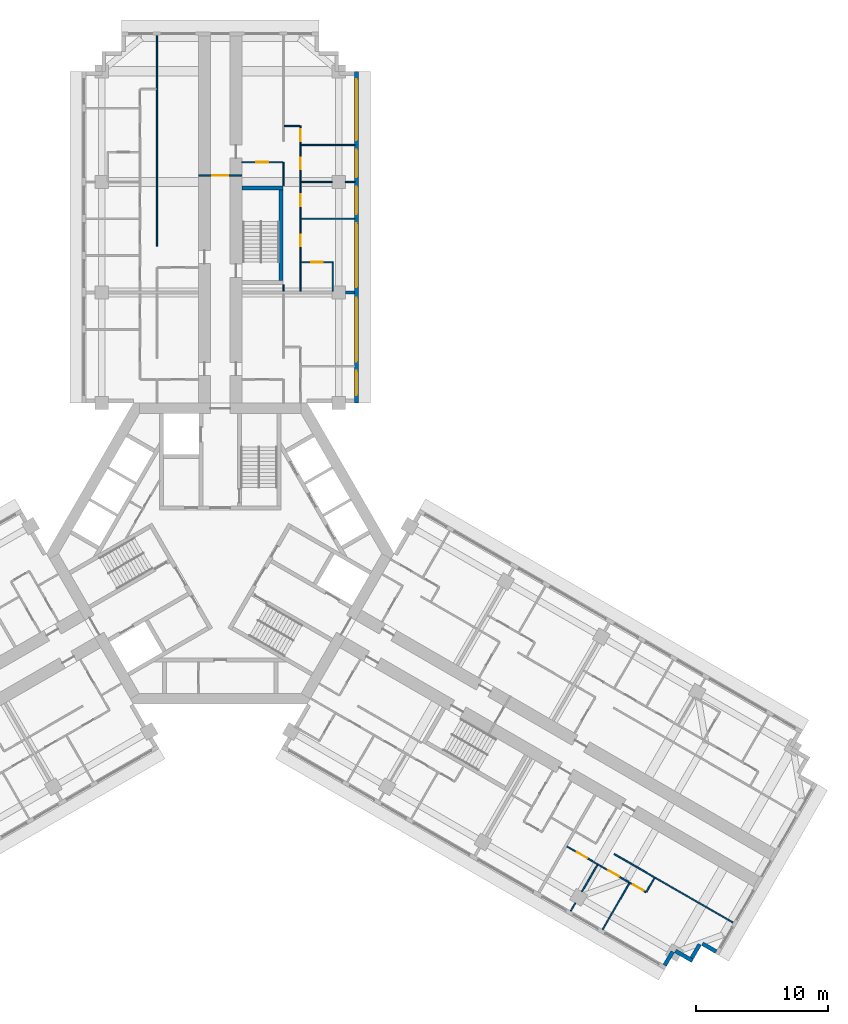
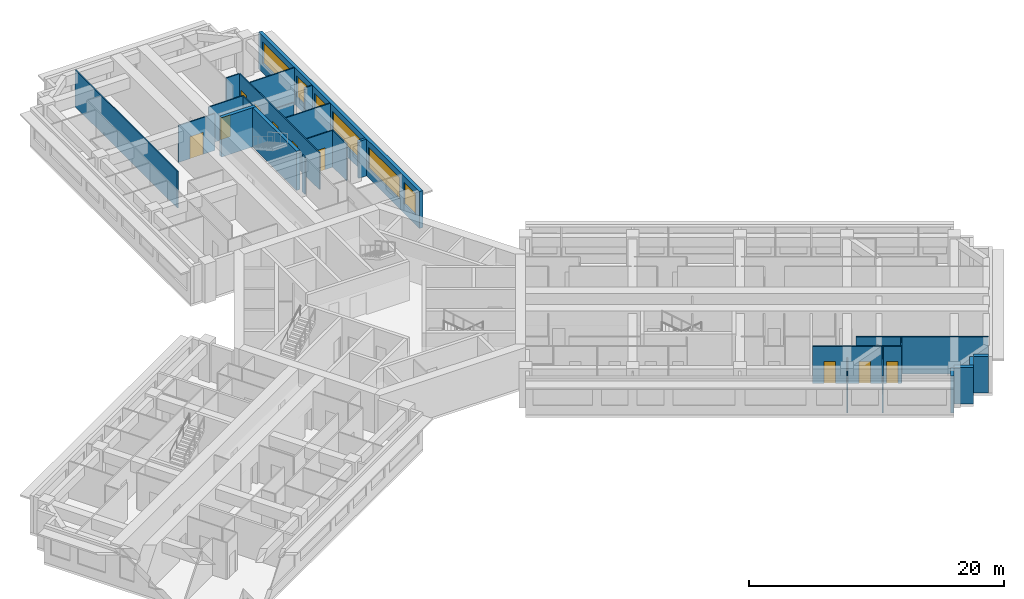
# One storey, part 10 of 14: 27 walls, 10 doors, 6 windows, 16 openings.
"""IFC4 building model written with IfcOpenShell, lengths in metres."""

from ifc_helpers import new_model, si_unit, direction, frame, frame_2d, origin, place, context, subcontext, project, spatial, rectangle, extrude, material, layer, layer_set, type_object, element, fill, save


model = new_model("IFC4")

# Units and contexts
model_context = context("Model", 3, precision=1e-05, world=origin(), true_north=direction((0.0, 1.0)))
body_context = subcontext(model_context, "Body", "Model", "MODEL_VIEW")
ifc_project = project(units=[si_unit("LENGTHUNIT", "METRE"), si_unit("AREAUNIT", "SQUARE_METRE"), si_unit("VOLUMEUNIT", "CUBIC_METRE"), si_unit("PLANEANGLEUNIT", "RADIAN"), si_unit("MASSUNIT", "GRAM", prefix="KILO")], contexts=[model_context])

# Site, building, storey
site_placement = place(None, origin())
site = spatial("IfcSite", under=ifc_project, at=site_placement, CompositionType="ELEMENT")
building_placement = place(site_placement, origin())
building = spatial("IfcBuilding", under=site, at=building_placement, Name="Impinga Residences", CompositionType="ELEMENT")
storey_placement = place(building_placement, frame((0.0, 0.0, 154.75)))
storey = spatial("IfcBuildingStorey", under=building, at=storey_placement, Name="L38", CompositionType="ELEMENT", Elevation=154.75)

# Wall, opening, door
ifc_material_1 = material(Name="Concrete blockwork", Category="masonry")
ifc_layer_1 = layer(ifc_material_1, 0.10009765625)
ifc_layer_set_1 = layer_set([ifc_layer_1], Name="CP1 core room partition, blockwork 100")
wall_type_1 = type_object("IfcWallType", Name="CP1 core room partition, blockwork 100", PredefinedType="PARTITIONING", material=ifc_layer_set_1)
wall_1_placement = place(storey_placement, frame((-1.64990234375, 28.72998046875, 0.0), z_axis=(0.0, 0.0, 1.0), x_axis=(1.0, 0.0, 0.0)))
wall_1 = element("IfcWall", 1, at=wall_1_placement, inside=storey, type_object=wall_type_1, Name="Core room partition, blockwork L38:N:SCR", PredefinedType="PARTITIONING", context=body_context, shape_type="SweptSolid", body=[
    extrude(rectangle(XDim=3.2998046875, YDim=0.10009765625, at=frame_2d((1.64990234375, 0.0))), origin(), (0.0, 0.0, 1.0), 3.530029296875),
])
opening_1_placement = place(wall_1_placement, frame((1.050048828125, 0.0, 0.0)))
opening_1 = element("IfcOpeningElement", 2, at=opening_1_placement, cuts=wall_1, Name="Opening D3", PredefinedType="OPENING", context=body_context, shape_type="SweptSolid", body=[
    extrude(rectangle(XDim=1.199951171875, YDim=2.10009765625, at=frame_2d((0.60009765625, 1.050048828125))), frame((0.0, 0.06005859375, 0.0), z_axis=(0.0, -1.0, 0.0), x_axis=(1.0, 0.0, 0.0)), (0.0, 0.0, 1.0), 0.1201171875),
])
ifc_material_2 = material(Name="Timber door set", Category="wood")
door_type_1 = type_object("IfcDoorType", Name="D3 room door, leaf and a half 1200x2100", OperationType="DOUBLE_SWING_LEFT", PredefinedType="DOOR", material=ifc_material_2)
door_1_placement = place(opening_1_placement, origin())
door_1 = element("IfcDoor", 3, at=door_1_placement, inside=storey, type_object=door_type_1, Name="Corridor smoke door N", OperationType="DOUBLE_SWING_LEFT", OverallHeight=2.10009765625, OverallWidth=1.199951171875, PredefinedType="DOOR", context=body_context, shape_type="SweptSolid", body=[
    extrude(rectangle(XDim=1.199951171875, YDim=2.10009765625, at=frame_2d((0.60009765625, 1.050048828125))), frame((0.0, 0.02490234375, 0.0), z_axis=(0.0, -1.0, 0.0), x_axis=(1.0, 0.0, 0.0)), (0.0, 0.0, 1.0), 0.050048828125),
])
fill(opening_1, door_1)

# Walls
ifc_material_3 = material(Name="Terracotta rainscreen on blockwork", Category="masonry")
ifc_layer_2 = layer(ifc_material_3, 0.300048828125)
ifc_layer_set_2 = layer_set([ifc_layer_2], Name="EW1 external wall, terracotta rainscreen on blockwork 300")
wall_type_2 = type_object("IfcWallType", Name="EW1 external wall, terracotta rainscreen on blockwork 300", PredefinedType="SOLIDWALL", material=ifc_layer_set_2)
wall_2_placement = place(storey_placement, frame((37.66162109375, -30.23095703125, 0.0), z_axis=(0.0, 0.0, 1.0), x_axis=(-0.866059708757, 0.499940577336, 0.0)))
element("IfcWall", 4, at=wall_2_placement, inside=storey, type_object=wall_type_2, Name="External wall EW1 L38", PredefinedType="SOLIDWALL", context=body_context, shape_type="SweptSolid", body=[
    extrude(rectangle(XDim=1.195068359375, YDim=0.300048828125, at=frame_2d((0.59765625, 0.0))), origin(), (0.0, 0.0, 1.0), 3.530029296875),
])
wall_3_placement = place(storey_placement, frame((36.41748046875, -29.68603515625, 0.0), z_axis=(0.0, 0.0, 1.0), x_axis=(-0.499969057507, -0.866043267704, 0.0)))
element("IfcWall", 5, at=wall_3_placement, inside=storey, type_object=wall_type_2, Name="External wall EW1 L38", PredefinedType="SOLIDWALL", context=body_context, shape_type="SweptSolid", body=[
    extrude(rectangle(XDim=1.19970703125, YDim=0.300048828125, at=frame_2d((0.599853515625, 0.0))), origin(), (0.0, 0.0, 1.0), 3.530029296875),
])
wall_4_placement = place(storey_placement, frame((35.87255859375, -30.93017578125, 0.0), z_axis=(0.0, 0.0, 1.0), x_axis=(-0.866031096941, 0.499990139034, 0.0)))
element("IfcWall", 6, at=wall_4_placement, inside=storey, type_object=wall_type_2, Name="External wall EW1 L38", PredefinedType="SOLIDWALL", context=body_context, shape_type="SweptSolid", body=[
    extrude(rectangle(XDim=1.5, YDim=0.300048828125, at=frame_2d((0.75, 0.0))), origin(), (0.0, 0.0, 1.0), 3.530029296875),
])
wall_5_placement = place(storey_placement, frame((34.365966796875, -30.2392578125, 0.0), z_axis=(0.0, 0.0, 1.0), x_axis=(-0.499940577336, -0.866059708757, 0.0)))
element("IfcWall", 7, at=wall_5_placement, inside=storey, type_object=wall_type_2, Name="External wall EW1 L38", PredefinedType="SOLIDWALL", context=body_context, shape_type="SweptSolid", body=[
    extrude(rectangle(XDim=1.195068359375, YDim=0.300048828125, at=frame_2d((0.59765625, 0.0))), origin(), (0.0, 0.0, 1.0), 3.530029296875),
])

# Wall, openings, windows
wall_6_placement = place(storey_placement, frame((10.35009765625, 36.631591796875, 0.0), z_axis=(0.0, 0.0, 1.0), x_axis=(0.0, -1.0, 0.0)))
wall_6 = element("IfcWall", 8, at=wall_6_placement, inside=storey, type_object=wall_type_2, Name="External wall EW1 L38", PredefinedType="SOLIDWALL", context=body_context, shape_type="SweptSolid", body=[
    extrude(rectangle(XDim=25.199951171875, YDim=0.300048828125, at=frame_2d((12.60009765625, 0.0))), origin(), (0.0, 0.0, 1.0), 3.530029296875),
])
opening_2_placement = place(wall_6_placement, frame((0.60009765625, 0.0, 0.89990234375)))
opening_2 = element("IfcOpeningElement", 9, at=opening_2_placement, cuts=wall_6, Name="Opening W10", PredefinedType="OPENING", context=body_context, shape_type="SweptSolid", body=[
    extrude(rectangle(XDim=4.64990234375, YDim=2.050048828125, at=frame_2d((2.324951171875, 1.02490234375))), frame((0.0, 0.159912109375, 0.0), z_axis=(0.0, -1.0, 0.0), x_axis=(1.0, 0.0, 0.0)), (0.0, 0.0, 1.0), 0.320068359375),
])
opening_3_placement = place(wall_6_placement, frame((5.949951171875, 0.0, 0.89990234375)))
opening_3 = element("IfcOpeningElement", 10, at=opening_3_placement, cuts=wall_6, Name="Opening W9", PredefinedType="OPENING", context=body_context, shape_type="SweptSolid", body=[
    extrude(rectangle(XDim=2.10009765625, YDim=2.050048828125, at=frame_2d((1.050048828125, 1.02490234375))), frame((0.0, 0.159912109375, 0.0), z_axis=(0.0, -1.0, 0.0), x_axis=(1.0, 0.0, 0.0)), (0.0, 0.0, 1.0), 0.320068359375),
])
opening_4_placement = place(wall_6_placement, frame((8.75, 0.0, 0.89990234375)))
opening_4 = element("IfcOpeningElement", 11, at=opening_4_placement, cuts=wall_6, Name="Opening W9", PredefinedType="OPENING", context=body_context, shape_type="SweptSolid", body=[
    extrude(rectangle(XDim=2.10009765625, YDim=2.050048828125, at=frame_2d((1.050048828125, 1.02490234375))), frame((0.0, 0.159912109375, 0.0), z_axis=(0.0, -1.0, 0.0), x_axis=(1.0, 0.0, 0.0)), (0.0, 0.0, 1.0), 0.320068359375),
])
opening_5_placement = place(wall_6_placement, frame((11.550048828125, 0.0, 0.89990234375)))
opening_5 = element("IfcOpeningElement", 12, at=opening_5_placement, cuts=wall_6, Name="Opening W6", PredefinedType="OPENING", context=body_context, shape_type="SweptSolid", body=[
    extrude(rectangle(XDim=4.85009765625, YDim=2.050048828125, at=frame_2d((2.425048828125, 1.02490234375))), frame((0.0, 0.159912109375, 0.0), z_axis=(0.0, -1.0, 0.0), x_axis=(1.0, 0.0, 0.0)), (0.0, 0.0, 1.0), 0.320068359375),
])
opening_6_placement = place(wall_6_placement, frame((17.199951171875, 0.0, 0.89990234375)))
opening_6 = element("IfcOpeningElement", 13, at=opening_6_placement, cuts=wall_6, Name="Opening W6", PredefinedType="OPENING", context=body_context, shape_type="SweptSolid", body=[
    extrude(rectangle(XDim=4.85009765625, YDim=2.050048828125, at=frame_2d((2.425048828125, 1.02490234375))), frame((0.0, 0.159912109375, 0.0), z_axis=(0.0, -1.0, 0.0), x_axis=(1.0, 0.0, 0.0)), (0.0, 0.0, 1.0), 0.320068359375),
])
opening_7_placement = place(wall_6_placement, frame((22.75, 0.0, 0.89990234375)))
opening_7 = element("IfcOpeningElement", 14, at=opening_7_placement, cuts=wall_6, Name="Opening W15", PredefinedType="OPENING", context=body_context, shape_type="SweptSolid", body=[
    extrude(rectangle(XDim=1.85009765625, YDim=2.050048828125, at=frame_2d((0.925048828125, 1.02490234375))), frame((0.0, 0.159912109375, 0.0), z_axis=(0.0, -1.0, 0.0), x_axis=(1.0, 0.0, 0.0)), (0.0, 0.0, 1.0), 0.320068359375),
])
ifc_material_4 = material(Name="Aluminium window, clear double glazing", Category="aluminium")
window_type_1 = type_object("IfcWindowType", Name="W10 ribbon window 4650x2050", PartitioningType="SINGLE_PANEL", PredefinedType="WINDOW", material=ifc_material_4)
window_1_placement = place(opening_2_placement, origin())
window_1 = element("IfcWindow", 15, at=window_1_placement, inside=storey, type_object=window_type_1, Name="Window L38", OverallHeight=2.050048828125, OverallWidth=4.64990234375, PartitioningType="SINGLE_PANEL", PredefinedType="WINDOW", context=body_context, shape_type="SweptSolid", body=[
    extrude(rectangle(XDim=4.64990234375, YDim=2.050048828125, at=frame_2d((2.324951171875, 1.02490234375))), frame((0.0, 0.030029296875, 0.0), z_axis=(0.0, -1.0, 0.0), x_axis=(1.0, 0.0, 0.0)), (0.0, 0.0, 1.0), 0.06005859375),
])
fill(opening_2, window_1)
window_type_2 = type_object("IfcWindowType", Name="W15 ribbon window 1850x2050", PartitioningType="SINGLE_PANEL", PredefinedType="WINDOW", material=ifc_material_4)
window_2_placement = place(opening_7_placement, origin())
window_2 = element("IfcWindow", 16, at=window_2_placement, inside=storey, type_object=window_type_2, Name="Window L38", OverallHeight=2.050048828125, OverallWidth=1.85009765625, PartitioningType="SINGLE_PANEL", PredefinedType="WINDOW", context=body_context, shape_type="SweptSolid", body=[
    extrude(rectangle(XDim=1.85009765625, YDim=2.050048828125, at=frame_2d((0.925048828125, 1.02490234375))), frame((0.0, 0.030029296875, 0.0), z_axis=(0.0, -1.0, 0.0), x_axis=(1.0, 0.0, 0.0)), (0.0, 0.0, 1.0), 0.06005859375),
])
fill(opening_7, window_2)
window_type_3 = type_object("IfcWindowType", Name="W6 ribbon window 4850x2050", PartitioningType="SINGLE_PANEL", PredefinedType="WINDOW", material=ifc_material_4)
window_3_placement = place(opening_5_placement, origin())
window_3 = element("IfcWindow", 17, at=window_3_placement, inside=storey, type_object=window_type_3, Name="Window L38", OverallHeight=2.050048828125, OverallWidth=4.85009765625, PartitioningType="SINGLE_PANEL", PredefinedType="WINDOW", context=body_context, shape_type="SweptSolid", body=[
    extrude(rectangle(XDim=4.85009765625, YDim=2.050048828125, at=frame_2d((2.425048828125, 1.02490234375))), frame((0.0, 0.030029296875, 0.0), z_axis=(0.0, -1.0, 0.0), x_axis=(1.0, 0.0, 0.0)), (0.0, 0.0, 1.0), 0.06005859375),
])
fill(opening_5, window_3)
window_4_placement = place(opening_6_placement, origin())
window_4 = element("IfcWindow", 18, at=window_4_placement, inside=storey, type_object=window_type_3, Name="Window L38", OverallHeight=2.050048828125, OverallWidth=4.85009765625, PartitioningType="SINGLE_PANEL", PredefinedType="WINDOW", context=body_context, shape_type="SweptSolid", body=[
    extrude(rectangle(XDim=4.85009765625, YDim=2.050048828125, at=frame_2d((2.425048828125, 1.02490234375))), frame((0.0, 0.030029296875, 0.0), z_axis=(0.0, -1.0, 0.0), x_axis=(1.0, 0.0, 0.0)), (0.0, 0.0, 1.0), 0.06005859375),
])
fill(opening_6, window_4)
window_type_4 = type_object("IfcWindowType", Name="W9 ribbon window 2100x2050", PartitioningType="SINGLE_PANEL", PredefinedType="WINDOW", material=ifc_material_4)
window_5_placement = place(opening_3_placement, origin())
window_5 = element("IfcWindow", 19, at=window_5_placement, inside=storey, type_object=window_type_4, Name="Window L38", OverallHeight=2.050048828125, OverallWidth=2.10009765625, PartitioningType="SINGLE_PANEL", PredefinedType="WINDOW", context=body_context, shape_type="SweptSolid", body=[
    extrude(rectangle(XDim=2.10009765625, YDim=2.050048828125, at=frame_2d((1.050048828125, 1.02490234375))), frame((0.0, 0.030029296875, 0.0), z_axis=(0.0, -1.0, 0.0), x_axis=(1.0, 0.0, 0.0)), (0.0, 0.0, 1.0), 0.06005859375),
])
fill(opening_3, window_5)
window_6_placement = place(opening_4_placement, origin())
window_6 = element("IfcWindow", 20, at=window_6_placement, inside=storey, type_object=window_type_4, Name="Window L38", OverallHeight=2.050048828125, OverallWidth=2.10009765625, PartitioningType="SINGLE_PANEL", PredefinedType="WINDOW", context=body_context, shape_type="SweptSolid", body=[
    extrude(rectangle(XDim=2.10009765625, YDim=2.050048828125, at=frame_2d((1.050048828125, 1.02490234375))), frame((0.0, 0.030029296875, 0.0), z_axis=(0.0, -1.0, 0.0), x_axis=(1.0, 0.0, 0.0)), (0.0, 0.0, 1.0), 0.06005859375),
])
fill(opening_4, window_6)

# Walls
ifc_material_5 = material(Name="Gypsum board on steel studs", Category="steel")
ifc_layer_3 = layer(ifc_material_5, 0.10009765625)
ifc_layer_set_3 = layer_set([ifc_layer_3], Name="Gypsum board on steel studs")
wall_type_3 = type_object("IfcWallType", Name="IP1 partition 100", PredefinedType="PARTITIONING", material=ifc_layer_set_3)
wall_7_placement = place(storey_placement, frame((-4.800048828125, 23.33154296875, 0.0), z_axis=(0.0, 0.0, 1.0), x_axis=(0.0, 1.0, 0.0)))
element("IfcWall", 21, at=wall_7_placement, inside=storey, type_object=wall_type_3, Name="Partition L38-NA2:DIV1", PredefinedType="PARTITIONING", context=body_context, shape_type="SweptSolid", body=[
    extrude(rectangle(XDim=16.0, YDim=0.10009765625, at=frame_2d((8.0, 0.0))), origin(), (0.0, 0.0, 1.0), 3.530029296875),
])
wall_8_placement = place(storey_placement, frame((4.800048828125, 19.931640625, 0.0), z_axis=(0.0, 0.0, 1.0), x_axis=(0.0, 1.0, 0.0)))
element("IfcWall", 22, at=wall_8_placement, inside=storey, type_object=wall_type_3, Name="Partition L38-NF2:DIV0", PredefinedType="PARTITIONING", context=body_context, shape_type="SweptSolid", body=[
    extrude(rectangle(XDim=0.5, YDim=0.10009765625, at=frame_2d((0.25, 0.0))), origin(), (0.0, 0.0, 1.0), 3.530029296875),
])
wall_9_placement = place(storey_placement, frame((4.800048828125, 27.931640625, 0.0), z_axis=(0.0, 0.0, 1.0), x_axis=(0.0, 1.0, 0.0)))
element("IfcWall", 23, at=wall_9_placement, inside=storey, type_object=wall_type_3, Name="Partition L38-NF2:DIV1", PredefinedType="PARTITIONING", context=body_context, shape_type="SweptSolid", body=[
    extrude(rectangle(XDim=1.7998046875, YDim=0.10009765625, at=frame_2d((0.89990234375, 0.0))), origin(), (0.0, 0.0, 1.0), 3.530029296875),
])

# Wall, openings, doors
wall_10_placement = place(storey_placement, frame((6.10009765625, 19.931640625, 0.0), z_axis=(0.0, 0.0, 1.0), x_axis=(0.0, 1.0, 0.0)))
wall_10 = element("IfcWall", 24, at=wall_10_placement, inside=storey, type_object=wall_type_3, Name="Partition L38-NF2:STRIP", PredefinedType="PARTITIONING", context=body_context, shape_type="SweptSolid", body=[
    extrude(rectangle(XDim=12.5498046875, YDim=0.10009765625, at=frame_2d((6.27490234375, 0.0))), origin(), (0.0, 0.0, 1.0), 3.530029296875),
])
opening_8_placement = place(wall_10_placement, frame((3.39990234375, 0.0, 0.0)))
opening_8 = element("IfcOpeningElement", 25, at=opening_8_placement, cuts=wall_10, Name="Opening D2", PredefinedType="OPENING", context=body_context, shape_type="SweptSolid", body=[
    extrude(rectangle(XDim=0.89990234375, YDim=2.10009765625, at=frame_2d((0.449951171875, 1.050048828125))), frame((0.0, 0.06005859375, 0.0), z_axis=(0.0, -1.0, 0.0), x_axis=(1.0, 0.0, 0.0)), (0.0, 0.0, 1.0), 0.1201171875),
])
opening_9_placement = place(wall_10_placement, frame((6.449951171875, 0.0, 0.0)))
opening_9 = element("IfcOpeningElement", 26, at=opening_9_placement, cuts=wall_10, Name="Opening D2", PredefinedType="OPENING", context=body_context, shape_type="SweptSolid", body=[
    extrude(rectangle(XDim=0.89990234375, YDim=2.10009765625, at=frame_2d((0.449951171875, 1.050048828125))), frame((0.0, 0.06005859375, 0.0), z_axis=(0.0, -1.0, 0.0), x_axis=(1.0, 0.0, 0.0)), (0.0, 0.0, 1.0), 0.1201171875),
])
opening_10_placement = place(wall_10_placement, frame((9.25, 0.0, 0.0)))
opening_10 = element("IfcOpeningElement", 27, at=opening_10_placement, cuts=wall_10, Name="Opening D2", PredefinedType="OPENING", context=body_context, shape_type="SweptSolid", body=[
    extrude(rectangle(XDim=0.89990234375, YDim=2.10009765625, at=frame_2d((0.449951171875, 1.050048828125))), frame((0.0, 0.06005859375, 0.0), z_axis=(0.0, -1.0, 0.0), x_axis=(1.0, 0.0, 0.0)), (0.0, 0.0, 1.0), 0.1201171875),
])
opening_11_placement = place(wall_10_placement, frame((11.39990234375, 0.0, 0.0)))
opening_11 = element("IfcOpeningElement", 28, at=opening_11_placement, cuts=wall_10, Name="Opening D2", PredefinedType="OPENING", context=body_context, shape_type="SweptSolid", body=[
    extrude(rectangle(XDim=0.89990234375, YDim=2.10009765625, at=frame_2d((0.449951171875, 1.050048828125))), frame((0.0, 0.06005859375, 0.0), z_axis=(0.0, -1.0, 0.0), x_axis=(1.0, 0.0, 0.0)), (0.0, 0.0, 1.0), 0.1201171875),
])
door_type_2 = type_object("IfcDoorType", Name="D2 internal door 900x2100", OperationType="SINGLE_SWING_LEFT", PredefinedType="DOOR", material=ifc_material_2)
door_2_placement = place(opening_8_placement, origin())
door_2 = element("IfcDoor", 29, at=door_2_placement, inside=storey, type_object=door_type_2, Name="Apartment L38-NF2 room door", OperationType="SINGLE_SWING_LEFT", OverallHeight=2.10009765625, OverallWidth=0.89990234375, PredefinedType="DOOR", context=body_context, shape_type="SweptSolid", body=[
    extrude(rectangle(XDim=0.89990234375, YDim=2.10009765625, at=frame_2d((0.449951171875, 1.050048828125))), frame((0.0, 0.02490234375, 0.0), z_axis=(0.0, -1.0, 0.0), x_axis=(1.0, 0.0, 0.0)), (0.0, 0.0, 1.0), 0.050048828125),
])
fill(opening_8, door_2)
door_3_placement = place(opening_9_placement, origin())
door_3 = element("IfcDoor", 30, at=door_3_placement, inside=storey, type_object=door_type_2, Name="Apartment L38-NF2 room door", OperationType="SINGLE_SWING_RIGHT", OverallHeight=2.10009765625, OverallWidth=0.89990234375, PredefinedType="DOOR", context=body_context, shape_type="SweptSolid", body=[
    extrude(rectangle(XDim=0.89990234375, YDim=2.10009765625, at=frame_2d((0.449951171875, 1.050048828125))), frame((0.0, 0.02490234375, 0.0), z_axis=(0.0, -1.0, 0.0), x_axis=(1.0, 0.0, 0.0)), (0.0, 0.0, 1.0), 0.050048828125),
])
fill(opening_9, door_3)
door_4_placement = place(opening_10_placement, origin())
door_4 = element("IfcDoor", 31, at=door_4_placement, inside=storey, type_object=door_type_2, Name="Apartment L38-NF2 room door", OperationType="SINGLE_SWING_RIGHT", OverallHeight=2.10009765625, OverallWidth=0.89990234375, PredefinedType="DOOR", context=body_context, shape_type="SweptSolid", body=[
    extrude(rectangle(XDim=0.89990234375, YDim=2.10009765625, at=frame_2d((0.449951171875, 1.050048828125))), frame((0.0, 0.02490234375, 0.0), z_axis=(0.0, -1.0, 0.0), x_axis=(1.0, 0.0, 0.0)), (0.0, 0.0, 1.0), 0.050048828125),
])
fill(opening_10, door_4)
door_5_placement = place(opening_11_placement, origin())
door_5 = element("IfcDoor", 32, at=door_5_placement, inside=storey, type_object=door_type_2, Name="Apartment L38-NF2 room door", OperationType="SINGLE_SWING_RIGHT", OverallHeight=2.10009765625, OverallWidth=0.89990234375, PredefinedType="DOOR", context=body_context, shape_type="SweptSolid", body=[
    extrude(rectangle(XDim=0.89990234375, YDim=2.10009765625, at=frame_2d((0.449951171875, 1.050048828125))), frame((0.0, 0.02490234375, 0.0), z_axis=(0.0, -1.0, 0.0), x_axis=(1.0, 0.0, 0.0)), (0.0, 0.0, 1.0), 0.050048828125),
])
fill(opening_11, door_5)

# Wall
wall_11_placement = place(storey_placement, frame((4.85009765625, 32.4814453125, 0.0), z_axis=(0.0, 0.0, 1.0), x_axis=(1.0, 0.0, 0.0)))
element("IfcWall", 33, at=wall_11_placement, inside=storey, type_object=wall_type_3, Name="Partition L38-NF2:SE1", PredefinedType="PARTITIONING", context=body_context, shape_type="SweptSolid", body=[
    extrude(rectangle(XDim=1.199951171875, YDim=0.10009765625, at=frame_2d((0.60009765625, 0.0))), origin(), (0.0, 0.0, 1.0), 3.530029296875),
])

# Wall, opening, door
wall_12_placement = place(storey_placement, frame((1.64990234375, 29.7314453125, 0.0), z_axis=(0.0, 0.0, 1.0), x_axis=(1.0, 0.0, 0.0)))
wall_12 = element("IfcWall", 34, at=wall_12_placement, inside=storey, type_object=wall_type_3, Name="Partition L38-NF2:IB1", PredefinedType="PARTITIONING", context=body_context, shape_type="SweptSolid", body=[
    extrude(rectangle(XDim=3.10009765625, YDim=0.10009765625, at=frame_2d((1.550048828125, 0.0))), origin(), (0.0, 0.0, 1.0), 3.530029296875),
])
opening_12_placement = place(wall_12_placement, frame((1.10009765625, 0.0, 0.0)))
opening_12 = element("IfcOpeningElement", 35, at=opening_12_placement, cuts=wall_12, Name="Opening D2", PredefinedType="OPENING", context=body_context, shape_type="SweptSolid", body=[
    extrude(rectangle(XDim=0.89990234375, YDim=2.10009765625, at=frame_2d((0.449951171875, 1.050048828125))), frame((0.0, 0.06005859375, 0.0), z_axis=(0.0, -1.0, 0.0), x_axis=(1.0, 0.0, 0.0)), (0.0, 0.0, 1.0), 0.1201171875),
])
door_6_placement = place(opening_12_placement, origin())
door_6 = element("IfcDoor", 36, at=door_6_placement, inside=storey, type_object=door_type_2, Name="Apartment L38-NF2 bathroom door", OperationType="SINGLE_SWING_LEFT", OverallHeight=2.10009765625, OverallWidth=0.89990234375, PredefinedType="DOOR", context=body_context, shape_type="SweptSolid", body=[
    extrude(rectangle(XDim=0.89990234375, YDim=2.10009765625, at=frame_2d((0.449951171875, 1.050048828125))), frame((0.0, 0.02490234375, 0.0), z_axis=(0.0, -1.0, 0.0), x_axis=(1.0, 0.0, 0.0)), (0.0, 0.0, 1.0), 0.050048828125),
])
fill(opening_12, door_6)

# Walls
wall_13_placement = place(storey_placement, frame((6.14990234375, 25.431640625, 0.0), z_axis=(0.0, 0.0, 1.0), x_axis=(1.0, 0.0, 0.0)))
element("IfcWall", 37, at=wall_13_placement, inside=storey, type_object=wall_type_3, Name="Partition L38-NF2:OB1", PredefinedType="PARTITIONING", context=body_context, shape_type="SweptSolid", body=[
    extrude(rectangle(XDim=4.050048828125, YDim=0.10009765625, at=frame_2d((2.02490234375, 0.0))), origin(), (0.0, 0.0, 1.0), 3.530029296875),
])
wall_14_placement = place(storey_placement, frame((6.14990234375, 28.2314453125, 0.0), z_axis=(0.0, 0.0, 1.0), x_axis=(1.0, 0.0, 0.0)))
element("IfcWall", 38, at=wall_14_placement, inside=storey, type_object=wall_type_3, Name="Partition L38-NF2:OB2", PredefinedType="PARTITIONING", context=body_context, shape_type="SweptSolid", body=[
    extrude(rectangle(XDim=2.35009765625, YDim=0.10009765625, at=frame_2d((1.175048828125, 0.0))), origin(), (0.0, 0.0, 1.0), 2.47998046875),
])
wall_15_placement = place(storey_placement, frame((9.5, 28.2314453125, 0.0), z_axis=(0.0, 0.0, 1.0), x_axis=(1.0, 0.0, 0.0)))
element("IfcWall", 39, at=wall_15_placement, inside=storey, type_object=wall_type_3, Name="Partition L38-NF2:OB2b", PredefinedType="PARTITIONING", context=body_context, shape_type="SweptSolid", body=[
    extrude(rectangle(XDim=0.699951171875, YDim=0.10009765625, at=frame_2d((0.35009765625, 0.0))), origin(), (0.0, 0.0, 1.0), 3.530029296875),
])
wall_16_placement = place(storey_placement, frame((6.14990234375, 31.031494140625, 0.0), z_axis=(0.0, 0.0, 1.0), x_axis=(1.0, 0.0, 0.0)))
element("IfcWall", 40, at=wall_16_placement, inside=storey, type_object=wall_type_3, Name="Partition L38-NF2:OB3", PredefinedType="PARTITIONING", context=body_context, shape_type="SweptSolid", body=[
    extrude(rectangle(XDim=4.050048828125, YDim=0.10009765625, at=frame_2d((2.02490234375, 0.0))), origin(), (0.0, 0.0, 1.0), 3.530029296875),
])

# Wall, opening, door
wall_17_placement = place(storey_placement, frame((6.14990234375, 22.131591796875, 0.0), z_axis=(0.0, 0.0, 1.0), x_axis=(1.0, 0.0, 0.0)))
wall_17 = element("IfcWall", 41, at=wall_17_placement, inside=storey, type_object=wall_type_3, Name="Partition L38-NF2:EN1", PredefinedType="PARTITIONING", context=body_context, shape_type="SweptSolid", body=[
    extrude(rectangle(XDim=2.4501953125, YDim=0.10009765625, at=frame_2d((1.22509765625, 0.0))), origin(), (0.0, 0.0, 1.0), 3.530029296875),
])
opening_13_placement = place(wall_17_placement, frame((0.75, 0.0, 0.0)))
opening_13 = element("IfcOpeningElement", 42, at=opening_13_placement, cuts=wall_17, Name="Opening D2", PredefinedType="OPENING", context=body_context, shape_type="SweptSolid", body=[
    extrude(rectangle(XDim=0.89990234375, YDim=2.10009765625, at=frame_2d((0.449951171875, 1.050048828125))), frame((0.0, 0.06005859375, 0.0), z_axis=(0.0, -1.0, 0.0), x_axis=(1.0, 0.0, 0.0)), (0.0, 0.0, 1.0), 0.1201171875),
])
door_7_placement = place(opening_13_placement, origin())
door_7 = element("IfcDoor", 43, at=door_7_placement, inside=storey, type_object=door_type_2, Name="Apartment L38-NF2 en-suite door", OperationType="SINGLE_SWING_LEFT", OverallHeight=2.10009765625, OverallWidth=0.89990234375, PredefinedType="DOOR", context=body_context, shape_type="SweptSolid", body=[
    extrude(rectangle(XDim=0.89990234375, YDim=2.10009765625, at=frame_2d((0.449951171875, 1.050048828125))), frame((0.0, 0.02490234375, 0.0), z_axis=(0.0, -1.0, 0.0), x_axis=(1.0, 0.0, 0.0)), (0.0, 0.0, 1.0), 0.050048828125),
])
fill(opening_13, door_7)

# Walls
wall_18_placement = place(storey_placement, frame((8.550048828125, 19.931640625, 0.0), z_axis=(0.0, 0.0, 1.0), x_axis=(0.0, 1.0, 0.0)))
element("IfcWall", 44, at=wall_18_placement, inside=storey, type_object=wall_type_3, Name="Partition L38-NF2:EN2", PredefinedType="PARTITIONING", context=body_context, shape_type="SweptSolid", body=[
    extrude(rectangle(XDim=2.14990234375, YDim=0.10009765625, at=frame_2d((1.074951171875, 0.0))), origin(), (0.0, 0.0, 1.0), 3.530029296875),
])
wall_19_placement = place(storey_placement, frame((29.93017578125, -22.82275390625, 0.0), z_axis=(0.0, 0.0, 1.0), x_axis=(0.866025696342, -0.499999493275, 0.0)))
element("IfcWall", 45, at=wall_19_placement, inside=storey, type_object=wall_type_3, Name="Partition L38-EF3:DIV1", PredefinedType="PARTITIONING", context=body_context, shape_type="SweptSolid", body=[
    extrude(rectangle(XDim=10.39990234375, YDim=0.10009765625, at=frame_2d((5.199951171875, 0.0))), origin(), (0.0, 0.0, 1.0), 3.530029296875),
])

# Wall, openings, doors
wall_20_placement = place(storey_placement, frame((26.335693359375, -22.24853515625, 0.0), z_axis=(0.0, 0.0, 1.0), x_axis=(0.866016523273, -0.500015381182, 0.0)))
wall_20 = element("IfcWall", 46, at=wall_20_placement, inside=storey, type_object=wall_type_3, Name="Partition L38-EF3:STRIP", PredefinedType="PARTITIONING", context=body_context, shape_type="SweptSolid", body=[
    extrude(rectangle(XDim=6.949951171875, YDim=0.10009765625, at=frame_2d((3.47509765625, 0.0))), origin(), (0.0, 0.0, 1.0), 3.530029296875),
])
opening_14_placement = place(wall_20_placement, frame((0.875, 0.0, 0.0)))
opening_14 = element("IfcOpeningElement", 47, at=opening_14_placement, cuts=wall_20, Name="Opening D2", PredefinedType="OPENING", context=body_context, shape_type="SweptSolid", body=[
    extrude(rectangle(XDim=0.89990234375, YDim=2.10009765625, at=frame_2d((0.449951171875, 1.050048828125))), frame((0.0, 0.06005859375, 0.0), z_axis=(0.0, -1.0, 0.0), x_axis=(1.0, 0.0, 0.0)), (0.0, 0.0, 1.0), 0.1201171875),
])
opening_15_placement = place(wall_20_placement, frame((3.64990234375, 0.0, 0.0)))
opening_15 = element("IfcOpeningElement", 48, at=opening_15_placement, cuts=wall_20, Name="Opening D2", PredefinedType="OPENING", context=body_context, shape_type="SweptSolid", body=[
    extrude(rectangle(XDim=0.89990234375, YDim=2.10009765625, at=frame_2d((0.449951171875, 1.050048828125))), frame((0.0, 0.06005859375, 0.0), z_axis=(0.0, -1.0, 0.0), x_axis=(1.0, 0.0, 0.0)), (0.0, 0.0, 1.0), 0.1201171875),
])
opening_16_placement = place(wall_20_placement, frame((5.800048828125, 0.0, 0.0)))
opening_16 = element("IfcOpeningElement", 49, at=opening_16_placement, cuts=wall_20, Name="Opening D2", PredefinedType="OPENING", context=body_context, shape_type="SweptSolid", body=[
    extrude(rectangle(XDim=0.89990234375, YDim=2.10009765625, at=frame_2d((0.449951171875, 1.050048828125))), frame((0.0, 0.06005859375, 0.0), z_axis=(0.0, -1.0, 0.0), x_axis=(1.0, 0.0, 0.0)), (0.0, 0.0, 1.0), 0.1201171875),
])
door_8_placement = place(opening_14_placement, origin())
door_8 = element("IfcDoor", 50, at=door_8_placement, inside=storey, type_object=door_type_2, Name="Apartment L38-EF3 room door", OperationType="SINGLE_SWING_LEFT", OverallHeight=2.10009765625, OverallWidth=0.89990234375, PredefinedType="DOOR", context=body_context, shape_type="SweptSolid", body=[
    extrude(rectangle(XDim=0.89990234375, YDim=2.10009765625, at=frame_2d((0.449951171875, 1.050048828125))), frame((0.0, 0.02490234375, 0.0), z_axis=(0.0, -1.0, 0.0), x_axis=(1.0, 0.0, 0.0)), (0.0, 0.0, 1.0), 0.050048828125),
])
fill(opening_14, door_8)
door_9_placement = place(opening_15_placement, origin())
door_9 = element("IfcDoor", 51, at=door_9_placement, inside=storey, type_object=door_type_2, Name="Apartment L38-EF3 room door", OperationType="SINGLE_SWING_RIGHT", OverallHeight=2.10009765625, OverallWidth=0.89990234375, PredefinedType="DOOR", context=body_context, shape_type="SweptSolid", body=[
    extrude(rectangle(XDim=0.89990234375, YDim=2.10009765625, at=frame_2d((0.449951171875, 1.050048828125))), frame((0.0, 0.02490234375, 0.0), z_axis=(0.0, -1.0, 0.0), x_axis=(1.0, 0.0, 0.0)), (0.0, 0.0, 1.0), 0.050048828125),
])
fill(opening_15, door_9)
door_10_placement = place(opening_16_placement, origin())
door_10 = element("IfcDoor", 52, at=door_10_placement, inside=storey, type_object=door_type_2, Name="Apartment L38-EF3 room door", OperationType="SINGLE_SWING_RIGHT", OverallHeight=2.10009765625, OverallWidth=0.89990234375, PredefinedType="DOOR", context=body_context, shape_type="SweptSolid", body=[
    extrude(rectangle(XDim=0.89990234375, YDim=2.10009765625, at=frame_2d((0.449951171875, 1.050048828125))), frame((0.0, 0.02490234375, 0.0), z_axis=(0.0, -1.0, 0.0), x_axis=(1.0, 0.0, 0.0)), (0.0, 0.0, 1.0), 0.050048828125),
])
fill(opening_16, door_10)

# Walls
wall_21_placement = place(storey_placement, frame((32.9794921875, -24.640869140625, 0.0), z_axis=(0.0, 0.0, 1.0), x_axis=(-0.500033551112, -0.866006032174, 0.0)))
element("IfcWall", 53, at=wall_21_placement, inside=storey, type_object=wall_type_3, Name="Partition L38-EF3:SE1", PredefinedType="PARTITIONING", context=body_context, shape_type="SweptSolid", body=[
    extrude(rectangle(XDim=1.2001953125, YDim=0.10009765625, at=frame_2d((0.60009765625, 0.0))), origin(), (0.0, 0.0, 1.0), 3.530029296875),
])
wall_22_placement = place(storey_placement, frame((28.64892578125, -23.641845703125, 0.0), z_axis=(0.0, 0.0, 1.0), x_axis=(-0.500016218704, -0.866016039709, 0.0)))
element("IfcWall", 54, at=wall_22_placement, inside=storey, type_object=wall_type_3, Name="Partition L38-EF3:OB1", PredefinedType="PARTITIONING", context=body_context, shape_type="SweptSolid", body=[
    extrude(rectangle(XDim=2.35009765625, YDim=0.10009765625, at=frame_2d((1.175048828125, 0.0))), origin(), (0.0, 0.0, 1.0), 2.47998046875),
])
wall_23_placement = place(storey_placement, frame((26.973876953125, -26.54296875, 0.0), z_axis=(0.0, 0.0, 1.0), x_axis=(-0.500114896893, -0.865959057869, 0.0)))
element("IfcWall", 55, at=wall_23_placement, inside=storey, type_object=wall_type_3, Name="Partition L38-EF3:OB1b", PredefinedType="PARTITIONING", context=body_context, shape_type="SweptSolid", body=[
    extrude(rectangle(XDim=0.699951171875, YDim=0.10009765625, at=frame_2d((0.35009765625, 0.0))), origin(), (0.0, 0.0, 1.0), 3.530029296875),
])
wall_24_placement = place(storey_placement, frame((31.07373046875, -25.041748046875, 0.0), z_axis=(0.0, 0.0, 1.0), x_axis=(-0.499964223975, -0.866046058097, 0.0)))
element("IfcWall", 56, at=wall_24_placement, inside=storey, type_object=wall_type_3, Name="Partition L38-EF3:OB2", PredefinedType="PARTITIONING", context=body_context, shape_type="SweptSolid", body=[
    extrude(rectangle(XDim=4.050048828125, YDim=0.10009765625, at=frame_2d((2.02490234375, 0.0))), origin(), (0.0, 0.0, 1.0), 3.530029296875),
])
ifc_layer_4 = layer(ifc_material_1, 0.199951171875)
ifc_layer_set_4 = layer_set([ifc_layer_4], Name="PW1 party wall between apartments 200")
wall_type_4 = type_object("IfcWallType", Name="PW1 party wall between apartments 200", PredefinedType="SOLIDWALL", material=ifc_layer_set_4)
wall_25_placement = place(storey_placement, frame((9.5, 19.83154296875, 0.0), z_axis=(0.0, 0.0, 1.0), x_axis=(1.0, 0.0, 0.0)))
element("IfcWall", 57, at=wall_25_placement, inside=storey, type_object=wall_type_4, Name="Party wall between apartments L38-NF1:PARTYb", PredefinedType="SOLIDWALL", context=body_context, shape_type="SweptSolid", body=[
    extrude(rectangle(XDim=0.699951171875, YDim=0.199951171875, at=frame_2d((0.35009765625, 0.0))), origin(), (0.0, 0.0, 1.0), 3.530029296875),
])
ifc_material_6 = material(Name="Concrete C60/75", Category="concrete")
ifc_layer_5 = layer(ifc_material_6, 0.300048828125)
ifc_layer_set_5 = layer_set([ifc_layer_5], Name="Concrete C60/75")
wall_type_5 = type_object("IfcWallType", Name="SE1 wing stair enclosure wall 300", PredefinedType="SOLIDWALL", material=ifc_layer_set_5)
wall_26_placement = place(storey_placement, frame((1.64990234375, 27.781494140625, 0.0), z_axis=(0.0, 0.0, 1.0), x_axis=(1.0, 0.0, 0.0)))
element("IfcWall", 58, at=wall_26_placement, inside=storey, type_object=wall_type_5, Name="Stair enclosure wall SE1 N END1 L38", PredefinedType="SOLIDWALL", context=body_context, shape_type="SweptSolid", body=[
    extrude(rectangle(XDim=3.10009765625, YDim=0.300048828125, at=frame_2d((1.550048828125, 0.0))), origin(), (0.0, 0.0, 1.0), 3.75),
])
wall_27_placement = place(storey_placement, frame((4.60009765625, 20.7314453125, 0.0), z_axis=(0.0, 0.0, 1.0), x_axis=(0.0, 1.0, 0.0)))
element("IfcWall", 59, at=wall_27_placement, inside=storey, type_object=wall_type_5, Name="Stair enclosure wall SE1 N OUT L38", PredefinedType="SOLIDWALL", context=body_context, shape_type="SweptSolid", body=[
    extrude(rectangle(XDim=6.900146484375, YDim=0.300048828125, at=frame_2d((3.4501953125, 0.0))), origin(), (0.0, 0.0, 1.0), 3.75),
])

save(model, "model.ifc")
